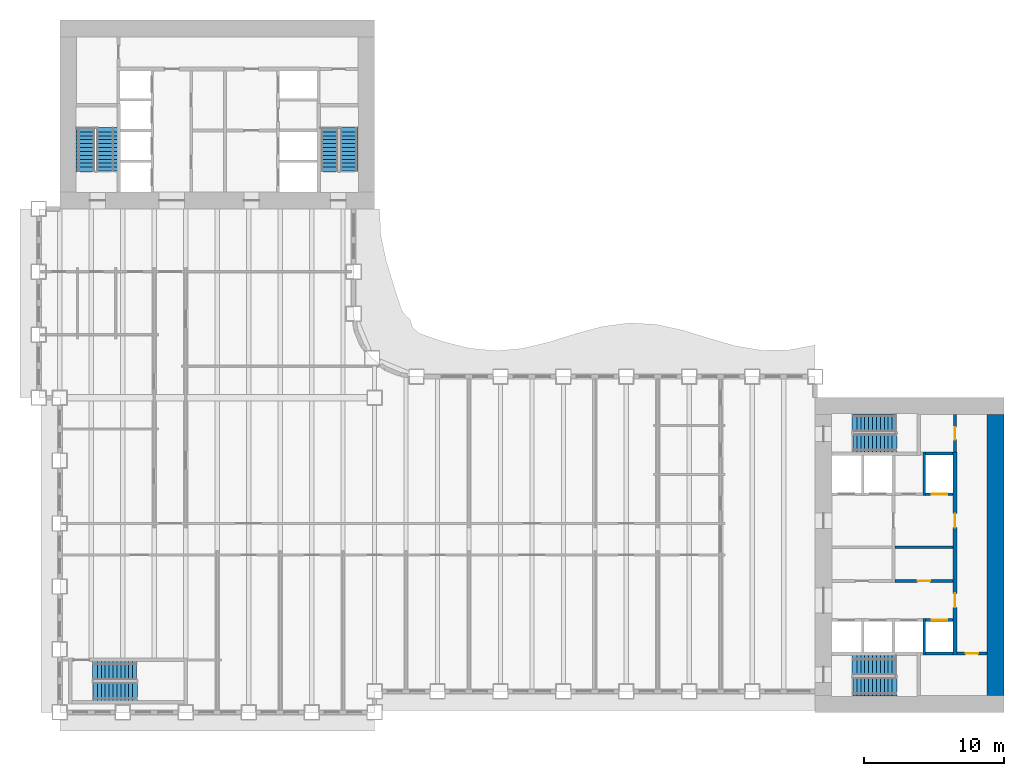
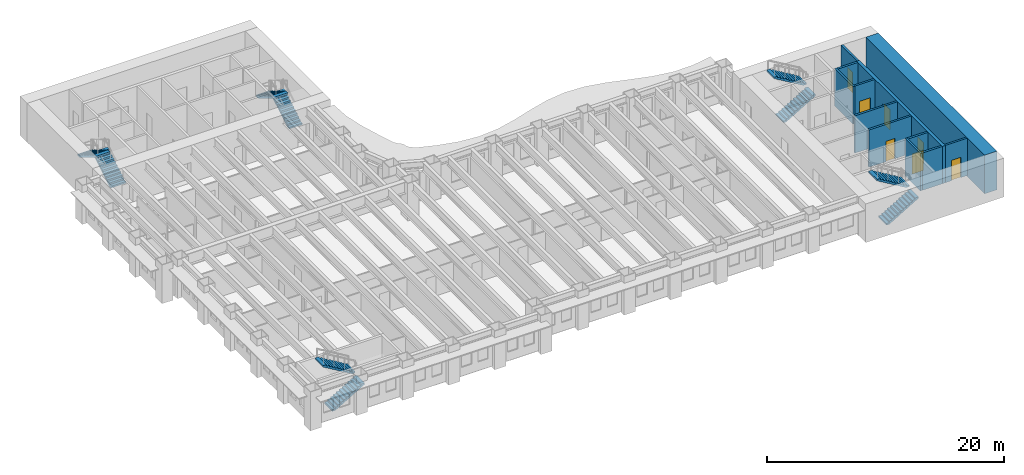
# One storey, part 9 of 15: 12 walls, 10 stair flights, 7 doors, 7 openings, 5 elements without a shape of their own.
"""IFC4 building model written with IfcOpenShell, lengths in metres."""

from ifc_helpers import new_model, si_unit, direction, frame, frame_2d, origin, place, context, subcontext, project, spatial, polyline, rectangle, outline, extrude, material, layer, layer_set, type_object, element, fill, aggregate, save


model = new_model("IFC4")

# Units and contexts
model_context = context("Model", 3, precision=1e-05, world=origin(), true_north=direction((0.0, 1.0)))
body_context = subcontext(model_context, "Body", "Model", "MODEL_VIEW")
ifc_project = project(units=[si_unit("LENGTHUNIT", "METRE"), si_unit("AREAUNIT", "SQUARE_METRE"), si_unit("VOLUMEUNIT", "CUBIC_METRE"), si_unit("PLANEANGLEUNIT", "RADIAN"), si_unit("MASSUNIT", "GRAM", prefix="KILO")], contexts=[model_context])

# Site, building, storey
site_placement = place(None, origin())
site = spatial("IfcSite", under=ifc_project, at=site_placement, CompositionType="ELEMENT")
building_placement = place(site_placement, origin())
building = spatial("IfcBuilding", under=site, at=building_placement, Name="Sennacour Bend Tower", CompositionType="ELEMENT")
storey_placement = place(building_placement, frame((0.0, 0.0, 41.0)))
storey = spatial("IfcBuildingStorey", under=building, at=storey_placement, Name="L08", CompositionType="ELEMENT", Elevation=41.0)

# Wall
ifc_material_1 = material(Name="Concrete C80/95", Category="concrete")
ifc_layer_1 = layer(ifc_material_1, 1.199951171875, Name="Concrete C80/95", Category="concrete")
ifc_layer_set_1 = layer_set([ifc_layer_1], Name="Concrete C80/95")
wall_type_1 = type_object("IfcWallType", Name="Core wall 1200 C80/95", PredefinedType="SHEAR", material=ifc_layer_set_1)
wall_1_placement = place(storey_placement, frame((66.89990234375, 1.199951171875, -0.14990234375), z_axis=(0.0, 0.0, 1.0), x_axis=(0.0, 1.0, 0.0)))
element("IfcWall", 1, at=wall_1_placement, inside=storey, type_object=wall_type_1, Name="Core A wall L08 E", PredefinedType="SHEAR", context=body_context, shape_type="SweptSolid", body=[
    extrude(rectangle(XDim=20.10009765625, YDim=1.199951171875, at=frame_2d((10.050048828125, 0.0))), origin(), (0.0, 0.0, 1.0), 4.0),
])

# Wall, opening, door
ifc_material_2 = material(Name="Fire-rated plasterboard partition on steel studs", Category="steel")
ifc_layer_2 = layer(ifc_material_2, 0.199951171875, Name="Fire-rated plasterboard partition on steel studs", Category="steel")
ifc_layer_set_2 = layer_set([ifc_layer_2], Name="Fire-rated plasterboard partition on steel studs")
wall_type_2 = type_object("IfcWallType", Name="Rated partition 200", PredefinedType="PARTITIONING", material=ifc_layer_set_2)
wall_2_placement = place(storey_placement, frame((64.0, 18.60009765625, 0.0), z_axis=(0.0, 0.0, 1.0), x_axis=(0.0, 1.0, 0.0)))
wall_2 = element("IfcWall", 2, at=wall_2_placement, inside=storey, type_object=wall_type_2, Name="P-L08-W044", PredefinedType="PARTITIONING", context=body_context, shape_type="SweptSolid", body=[
    extrude(rectangle(XDim=2.699951171875, YDim=0.199951171875, at=frame_2d((1.35009765625, 0.0))), origin(), (0.0, 0.0, 1.0), 3.85009765625),
])
opening_1_placement = place(wall_2_placement, frame((0.89990234375, 0.0, 0.0)))
opening_1 = element("IfcOpeningElement", 3, at=opening_1_placement, cuts=wall_2, Name="Opening SV", PredefinedType="OPENING", context=body_context, shape_type="SweptSolid", body=[
    extrude(rectangle(XDim=0.89990234375, YDim=2.10009765625, at=frame_2d((0.449951171875, 1.050048828125))), frame((0.0, 0.10986328125, 0.0), z_axis=(0.0, -1.0, 0.0), x_axis=(1.0, 0.0, 0.0)), (0.0, 0.0, 1.0), 0.219970703125),
])
ifc_material_3 = material(Name="Painted steel", Category="steel")
door_type_1 = type_object("IfcDoorType", Name="DR-SERVICE-900", OperationType="NOTDEFINED", PredefinedType="DOOR", material=ifc_material_3)
door_1_placement = place(opening_1_placement, origin())
door_1 = element("IfcDoor", 4, at=door_1_placement, inside=storey, type_object=door_type_1, Name="Door", OperationType="SINGLE_SWING_LEFT", OverallHeight=2.10009765625, OverallWidth=0.89990234375, PredefinedType="DOOR", context=body_context, shape_type="SweptSolid", body=[
    extrude(rectangle(XDim=0.89990234375, YDim=2.10009765625, at=frame_2d((0.449951171875, 1.050048828125))), frame((0.0, 0.02490234375, 0.0), z_axis=(0.0, -1.0, 0.0), x_axis=(1.0, 0.0, 0.0)), (0.0, 0.0, 1.0), 0.050048828125),
])
fill(opening_1, door_1)

wall_3_placement = place(storey_placement, frame((64.14990234375, 4.199951171875, 0.0), z_axis=(0.0, 0.0, 1.0), x_axis=(1.0, 0.0, 0.0)))
wall_3 = element("IfcWall", 5, at=wall_3_placement, inside=storey, type_object=wall_type_2, Name="P-L08-W053", PredefinedType="PARTITIONING", context=body_context, shape_type="SweptSolid", body=[
    extrude(rectangle(XDim=2.150146484375, YDim=0.199951171875, at=frame_2d((1.0751953125, 0.0))), origin(), (0.0, 0.0, 1.0), 3.85009765625),
])
opening_2_placement = place(wall_3_placement, frame((0.60009765625, 0.0, 0.0)))
opening_2 = element("IfcOpeningElement", 6, at=opening_2_placement, cuts=wall_3, Name="Opening SV", PredefinedType="OPENING", context=body_context, shape_type="SweptSolid", body=[
    extrude(rectangle(XDim=0.89990234375, YDim=2.10009765625, at=frame_2d((0.449951171875, 1.050048828125))), frame((0.0, 0.10986328125, 0.0), z_axis=(0.0, -1.0, 0.0), x_axis=(1.0, 0.0, 0.0)), (0.0, 0.0, 1.0), 0.219970703125),
])
door_2_placement = place(opening_2_placement, origin())
door_2 = element("IfcDoor", 7, at=door_2_placement, inside=storey, type_object=door_type_1, Name="Door", OperationType="SINGLE_SWING_LEFT", OverallHeight=2.10009765625, OverallWidth=0.89990234375, PredefinedType="DOOR", context=body_context, shape_type="SweptSolid", body=[
    extrude(rectangle(XDim=0.89990234375, YDim=2.10009765625, at=frame_2d((0.449951171875, 1.050048828125))), frame((0.0, 0.02490234375, 0.0), z_axis=(0.0, -1.0, 0.0), x_axis=(1.0, 0.0, 0.0)), (0.0, 0.0, 1.0), 0.050048828125),
])
fill(opening_2, door_2)

wall_4_placement = place(storey_placement, frame((59.699951171875, 9.39990234375, 0.0), z_axis=(0.0, 0.0, 1.0), x_axis=(1.0, 0.0, 0.0)))
wall_4 = element("IfcWall", 8, at=wall_4_placement, inside=storey, type_object=wall_type_2, Name="P-L08-W055b", PredefinedType="PARTITIONING", context=body_context, shape_type="SweptSolid", body=[
    extrude(rectangle(XDim=4.150146484375, YDim=0.199951171875, at=frame_2d((2.0751953125, 0.0))), origin(), (0.0, 0.0, 1.0), 3.85009765625),
])
opening_3_placement = place(wall_4_placement, frame((1.625, 0.0, 0.0)))
opening_3 = element("IfcOpeningElement", 9, at=opening_3_placement, cuts=wall_4, Name="Opening SV", PredefinedType="OPENING", context=body_context, shape_type="SweptSolid", body=[
    extrude(rectangle(XDim=0.89990234375, YDim=2.10009765625, at=frame_2d((0.449951171875, 1.050048828125))), frame((0.0, 0.10986328125, 0.0), z_axis=(0.0, -1.0, 0.0), x_axis=(1.0, 0.0, 0.0)), (0.0, 0.0, 1.0), 0.219970703125),
])
door_3_placement = place(opening_3_placement, origin())
door_3 = element("IfcDoor", 10, at=door_3_placement, inside=storey, type_object=door_type_1, Name="Door", OperationType="SINGLE_SWING_LEFT", OverallHeight=2.10009765625, OverallWidth=0.89990234375, PredefinedType="DOOR", context=body_context, shape_type="SweptSolid", body=[
    extrude(rectangle(XDim=0.89990234375, YDim=2.10009765625, at=frame_2d((0.449951171875, 1.050048828125))), frame((0.0, 0.02490234375, 0.0), z_axis=(0.0, -1.0, 0.0), x_axis=(1.0, 0.0, 0.0)), (0.0, 0.0, 1.0), 0.050048828125),
])
fill(opening_3, door_3)

# Walls
wall_5_placement = place(storey_placement, frame((59.699951171875, 11.800048828125, 0.0), z_axis=(0.0, 0.0, 1.0), x_axis=(1.0, 0.0, 0.0)))
element("IfcWall", 11, at=wall_5_placement, inside=storey, type_object=wall_type_2, Name="P-L08-W057b", PredefinedType="PARTITIONING", context=body_context, shape_type="SweptSolid", body=[
    extrude(rectangle(XDim=4.150146484375, YDim=0.199951171875, at=frame_2d((2.0751953125, 0.0))), origin(), (0.0, 0.0, 1.0), 3.85009765625),
])
ifc_material_4 = material(Name="Concrete C50/60", Category="concrete")
ifc_layer_3 = layer(ifc_material_4, 0.199951171875, Name="Concrete C50/60", Category="concrete")
ifc_layer_set_3 = layer_set([ifc_layer_3], Name="Concrete C50/60")
wall_type_3 = type_object("IfcWallType", Name="Shaft wall 200", PredefinedType="SOLIDWALL", material=ifc_layer_set_3)
wall_6_placement = place(storey_placement, frame((61.800048828125, 4.10009765625, 0.0), z_axis=(0.0, 0.0, 1.0), x_axis=(0.0, 1.0, 0.0)))
element("IfcWall", 12, at=wall_6_placement, inside=storey, type_object=wall_type_3, Name="P-L08-W041", PredefinedType="SOLIDWALL", context=body_context, shape_type="SweptSolid", body=[
    extrude(rectangle(XDim=2.599853515625, YDim=0.199951171875, at=frame_2d((1.2998046875, 0.0))), origin(), (0.0, 0.0, 1.0), 3.85009765625),
])
wall_7_placement = place(storey_placement, frame((61.800048828125, 15.5, 0.0), z_axis=(0.0, 0.0, 1.0), x_axis=(0.0, 1.0, 0.0)))
element("IfcWall", 13, at=wall_7_placement, inside=storey, type_object=wall_type_3, Name="P-L08-W042", PredefinedType="SOLIDWALL", context=body_context, shape_type="SweptSolid", body=[
    extrude(rectangle(XDim=3.10009765625, YDim=0.199951171875, at=frame_2d((1.550048828125, 0.0))), origin(), (0.0, 0.0, 1.0), 3.85009765625),
])
wall_8_placement = place(storey_placement, frame((61.89990234375, 4.199951171875, 0.0), z_axis=(0.0, 0.0, 1.0), x_axis=(1.0, 0.0, 0.0)))
element("IfcWall", 14, at=wall_8_placement, inside=storey, type_object=wall_type_3, Name="P-L08-W052b", PredefinedType="SOLIDWALL", context=body_context, shape_type="SweptSolid", body=[
    extrude(rectangle(XDim=1.9501953125, YDim=0.199951171875, at=frame_2d((0.97509765625, 0.0))), origin(), (0.0, 0.0, 1.0), 3.85009765625),
])

# Wall, opening, door
wall_9_placement = place(storey_placement, frame((61.89990234375, 6.60009765625, 0.0), z_axis=(0.0, 0.0, 1.0), x_axis=(1.0, 0.0, 0.0)))
wall_9 = element("IfcWall", 15, at=wall_9_placement, inside=storey, type_object=wall_type_3, Name="P-L08-W054d", PredefinedType="SOLIDWALL", context=body_context, shape_type="SweptSolid", body=[
    extrude(rectangle(XDim=1.9501953125, YDim=0.199951171875, at=frame_2d((0.97509765625, 0.0))), origin(), (0.0, 0.0, 1.0), 3.85009765625),
])
opening_4_placement = place(wall_9_placement, frame((0.425048828125, 0.0, 0.011962890625)))
opening_4 = element("IfcOpeningElement", 16, at=opening_4_placement, cuts=wall_9, Name="Opening LD", PredefinedType="OPENING", context=body_context, shape_type="SweptSolid", body=[
    extrude(rectangle(XDim=1.10009765625, YDim=2.10009765625, at=frame_2d((0.550048828125, 1.050048828125))), frame((0.0, 0.10986328125, 0.0), z_axis=(0.0, -1.0, 0.0), x_axis=(1.0, 0.0, 0.0)), (0.0, 0.0, 1.0), 0.219970703125),
])
ifc_material_5 = material(Name="Stainless steel", Category="steel")
door_type_2 = type_object("IfcDoorType", Name="DR-LANDING-1100", OperationType="NOTDEFINED", PredefinedType="DOOR", material=ifc_material_5)
door_4_placement = place(opening_4_placement, origin())
door_4 = element("IfcDoor", 17, at=door_4_placement, inside=storey, type_object=door_type_2, Name="Lift landing door LA4", OperationType="SLIDING_TO_RIGHT", OverallHeight=2.10009765625, OverallWidth=1.10009765625, PredefinedType="DOOR", context=body_context, shape_type="SweptSolid", body=[
    extrude(rectangle(XDim=1.10009765625, YDim=2.10009765625, at=frame_2d((0.550048828125, 1.050048828125))), frame((0.0, 0.02490234375, 0.0), z_axis=(0.0, -1.0, 0.0), x_axis=(1.0, 0.0, 0.0)), (0.0, 0.0, 1.0), 0.050048828125),
])
fill(opening_4, door_4)

wall_10_placement = place(storey_placement, frame((61.89990234375, 15.60009765625, 0.0), z_axis=(0.0, 0.0, 1.0), x_axis=(1.0, 0.0, 0.0)))
wall_10 = element("IfcWall", 18, at=wall_10_placement, inside=storey, type_object=wall_type_3, Name="P-L08-W061", PredefinedType="SOLIDWALL", context=body_context, shape_type="SweptSolid", body=[
    extrude(rectangle(XDim=1.9501953125, YDim=0.199951171875, at=frame_2d((0.97509765625, 0.0))), origin(), (0.0, 0.0, 1.0), 3.85009765625),
])
opening_5_placement = place(wall_10_placement, frame((0.425048828125, 0.0, 0.011962890625)))
opening_5 = element("IfcOpeningElement", 19, at=opening_5_placement, cuts=wall_10, Name="Opening LD", PredefinedType="OPENING", context=body_context, shape_type="SweptSolid", body=[
    extrude(rectangle(XDim=1.10009765625, YDim=2.10009765625, at=frame_2d((0.550048828125, 1.050048828125))), frame((0.0, 0.10986328125, 0.0), z_axis=(0.0, -1.0, 0.0), x_axis=(1.0, 0.0, 0.0)), (0.0, 0.0, 1.0), 0.219970703125),
])
door_5_placement = place(opening_5_placement, origin())
door_5 = element("IfcDoor", 20, at=door_5_placement, inside=storey, type_object=door_type_2, Name="Lift landing door LA5", OperationType="SLIDING_TO_LEFT", OverallHeight=2.10009765625, OverallWidth=1.10009765625, PredefinedType="DOOR", context=body_context, shape_type="SweptSolid", body=[
    extrude(rectangle(XDim=1.10009765625, YDim=2.10009765625, at=frame_2d((0.550048828125, 1.050048828125))), frame((0.0, 0.02490234375, 0.0), z_axis=(0.0, -1.0, 0.0), x_axis=(1.0, 0.0, 0.0)), (0.0, 0.0, 1.0), 0.050048828125),
])
fill(opening_5, door_5)

# Wall
wall_11_placement = place(storey_placement, frame((61.89990234375, 18.5, 0.0), z_axis=(0.0, 0.0, 1.0), x_axis=(1.0, 0.0, 0.0)))
element("IfcWall", 21, at=wall_11_placement, inside=storey, type_object=wall_type_3, Name="P-L08-W065", PredefinedType="SOLIDWALL", context=body_context, shape_type="SweptSolid", body=[
    extrude(rectangle(XDim=1.9501953125, YDim=0.199951171875, at=frame_2d((0.97509765625, 0.0))), origin(), (0.0, 0.0, 1.0), 3.85009765625),
])

# Wall, openings, doors
ifc_material_6 = material(Name="Concrete C60/75", Category="concrete")
ifc_layer_4 = layer(ifc_material_6, 0.300048828125, Name="Concrete C60/75", Category="concrete")
ifc_layer_set_4 = layer_set([ifc_layer_4], Name="Concrete C60/75")
wall_type_4 = type_object("IfcWallType", Name="Spine wall 300", PredefinedType="SHEAR", material=ifc_layer_set_4)
wall_12_placement = place(storey_placement, frame((64.0, 4.10009765625, 0.0), z_axis=(0.0, 0.0, 1.0), x_axis=(0.0, 1.0, 0.0)))
wall_12 = element("IfcWall", 22, at=wall_12_placement, inside=storey, type_object=wall_type_4, Name="P-L08-W043", PredefinedType="SHEAR", context=body_context, shape_type="SweptSolid", body=[
    extrude(rectangle(XDim=14.5, YDim=0.300048828125, at=frame_2d((7.25, 0.0))), origin(), (0.0, 0.0, 1.0), 3.85009765625),
])
opening_6_placement = place(wall_12_placement, frame((3.39990234375, 0.0, 0.0)))
opening_6 = element("IfcOpeningElement", 23, at=opening_6_placement, cuts=wall_12, Name="Opening CD2", PredefinedType="OPENING", context=body_context, shape_type="SweptSolid", body=[
    extrude(rectangle(XDim=1.0, YDim=2.10009765625, at=frame_2d((0.5, 1.050048828125))), frame((0.0, 0.16015625, 0.0), z_axis=(0.0, -1.0, 0.0), x_axis=(1.0, 0.0, 0.0)), (0.0, 0.0, 1.0), 0.320068359375),
])
opening_7_placement = place(wall_12_placement, frame((9.099853515625, 0.0, 0.0)))
opening_7 = element("IfcOpeningElement", 24, at=opening_7_placement, cuts=wall_12, Name="Opening CD2", PredefinedType="OPENING", context=body_context, shape_type="SweptSolid", body=[
    extrude(rectangle(XDim=1.0, YDim=2.10009765625, at=frame_2d((0.5, 1.050048828125))), frame((0.0, 0.16015625, 0.0), z_axis=(0.0, -1.0, 0.0), x_axis=(1.0, 0.0, 0.0)), (0.0, 0.0, 1.0), 0.320068359375),
])
door_type_3 = type_object("IfcDoorType", Name="DR-LOBBY-1000", OperationType="NOTDEFINED", PredefinedType="DOOR", material=ifc_material_3)
door_6_placement = place(opening_6_placement, origin())
door_6 = element("IfcDoor", 25, at=door_6_placement, inside=storey, type_object=door_type_3, Name="Door", OperationType="SINGLE_SWING_LEFT", OverallHeight=2.10009765625, OverallWidth=1.0, PredefinedType="DOOR", context=body_context, shape_type="SweptSolid", body=[
    extrude(rectangle(XDim=1.0, YDim=2.10009765625, at=frame_2d((0.5, 1.050048828125))), frame((0.0, 0.02490234375, 0.0), z_axis=(0.0, -1.0, 0.0), x_axis=(1.0, 0.0, 0.0)), (0.0, 0.0, 1.0), 0.050048828125),
])
fill(opening_6, door_6)
door_7_placement = place(opening_7_placement, origin())
door_7 = element("IfcDoor", 26, at=door_7_placement, inside=storey, type_object=door_type_3, Name="Door", OperationType="SINGLE_SWING_RIGHT", OverallHeight=2.10009765625, OverallWidth=1.0, PredefinedType="DOOR", context=body_context, shape_type="SweptSolid", body=[
    extrude(rectangle(XDim=1.0, YDim=2.10009765625, at=frame_2d((0.5, 1.050048828125))), frame((0.0, 0.02490234375, 0.0), z_axis=(0.0, -1.0, 0.0), x_axis=(1.0, 0.0, 0.0)), (0.0, 0.0, 1.0), 0.050048828125),
])
fill(opening_7, door_7)

# Stair, stair flights
ifc_material_7 = material(Name="Concrete C40/50", Category="concrete")
stair_type = type_object("IfcStairType", Name="ST-DOGLEG", PredefinedType="HALF_TURN_STAIR", material=ifc_material_7)
stair_1_placement = place(storey_placement, origin())
stair_1 = element("IfcStair", 27, at=stair_1_placement, inside=storey, type_object=stair_type, Name="L08 Exit stair A1", PredefinedType="HALF_TURN_STAIR")
stair_flight_type = type_object("IfcStairFlightType", Name="SFL-RC", PredefinedType="STRAIGHT", material=ifc_material_7)
stair_flight_1_placement = place(storey_placement, frame((56.699951171875, 1.8349609375, 0.0), z_axis=(0.0, 0.0, 1.0), x_axis=(1.0, 0.0, 0.0)))
stair_flight_1 = element("IfcStairFlight", 28, at=stair_flight_1_placement, type_object=stair_flight_type, Name="SA1 flight 1", NumberOfRisers=12, NumberOfTreads=11, PredefinedType="STRAIGHT", RiserHeight=0.166666667, TreadLength=0.28, context=body_context, shape_type="SweptSolid", body=[
    extrude(outline(polyline([(0.0, 0.0), (0.0, 0.166748046875), (0.280029296875, 0.166748046875), (0.280029296875, 0.333251953125), (0.56005859375, 0.333251953125), (0.56005859375, 0.5), (0.840087890625, 0.5), (0.840087890625, 0.666748046875), (1.1201171875, 0.666748046875), (1.1201171875, 0.833251953125), (1.39990234375, 0.833251953125), (1.39990234375, 1.0), (1.679931640625, 1.0), (1.679931640625, 1.166748046875), (1.9599609375, 1.166748046875), (1.9599609375, 1.333251953125), (2.239990234375, 1.333251953125), (2.239990234375, 1.5), (2.52001953125, 1.5), (2.52001953125, 1.666748046875), (2.800048828125, 1.666748046875), (2.800048828125, 1.833251953125), (3.080078125, 1.833251953125), (3.139892578125, 1.833251953125), (3.139892578125, 1.658935546875), (3.080078125, 1.658935546875), (0.29296875, 0.0), (0.0, 0.0)])), frame((0.0, 0.6650390625, 0.0), z_axis=(0.0, -1.0, 0.0), x_axis=(1.0, 0.0, 0.0)), (0.0, 0.0, 1.0), 1.330078125),
])
stair_flight_2_placement = place(storey_placement, frame((59.780029296875, 3.37744140625, 2.0), z_axis=(0.0, 0.0, 1.0), x_axis=(-1.0, 0.0, 0.0)))
stair_flight_2 = element("IfcStairFlight", 29, at=stair_flight_2_placement, type_object=stair_flight_type, Name="SA1 flight 2", NumberOfRisers=12, NumberOfTreads=11, PredefinedType="STRAIGHT", RiserHeight=0.166666667, TreadLength=0.28, context=body_context, shape_type="SweptSolid", body=[
    extrude(outline(polyline([(0.0, 0.0), (0.0, 0.166748046875), (0.280029296875, 0.166748046875), (0.280029296875, 0.333251953125), (0.56005859375, 0.333251953125), (0.56005859375, 0.5), (0.840087890625, 0.5), (0.840087890625, 0.666748046875), (1.1201171875, 0.666748046875), (1.1201171875, 0.833251953125), (1.39990234375, 0.833251953125), (1.39990234375, 1.0), (1.679931640625, 1.0), (1.679931640625, 1.166748046875), (1.9599609375, 1.166748046875), (1.9599609375, 1.333251953125), (2.239990234375, 1.333251953125), (2.239990234375, 1.5), (2.52001953125, 1.5), (2.52001953125, 1.666748046875), (2.800048828125, 1.666748046875), (2.800048828125, 1.833251953125), (3.080078125, 1.833251953125), (3.139892578125, 1.833251953125), (3.139892578125, 1.658935546875), (3.080078125, 1.658935546875), (0.29296875, 0.0), (0.0, 0.0)])), frame((0.0, 0.7275390625, 0.0), z_axis=(0.0, -1.0, 0.0), x_axis=(1.0, 0.0, 0.0)), (0.0, 0.0, 1.0), 1.455078125),
])
aggregate(stair_1, [stair_flight_1, stair_flight_2])

stair_2_placement = place(storey_placement, origin())
stair_2 = element("IfcStair", 30, at=stair_2_placement, inside=storey, type_object=stair_type, Name="L08 Exit stair A2", PredefinedType="HALF_TURN_STAIR")
stair_flight_3_placement = place(storey_placement, frame((56.699951171875, 19.24755859375, 0.0), z_axis=(0.0, 0.0, 1.0), x_axis=(1.0, 0.0, 0.0)))
stair_flight_3 = element("IfcStairFlight", 31, at=stair_flight_3_placement, type_object=stair_flight_type, Name="SA2 flight 1", NumberOfRisers=12, NumberOfTreads=11, PredefinedType="STRAIGHT", RiserHeight=0.166666667, TreadLength=0.28, context=body_context, shape_type="SweptSolid", body=[
    extrude(outline(polyline([(0.0, 0.0), (0.0, 0.166748046875), (0.280029296875, 0.166748046875), (0.280029296875, 0.333251953125), (0.56005859375, 0.333251953125), (0.56005859375, 0.5), (0.840087890625, 0.5), (0.840087890625, 0.666748046875), (1.1201171875, 0.666748046875), (1.1201171875, 0.833251953125), (1.39990234375, 0.833251953125), (1.39990234375, 1.0), (1.679931640625, 1.0), (1.679931640625, 1.166748046875), (1.9599609375, 1.166748046875), (1.9599609375, 1.333251953125), (2.239990234375, 1.333251953125), (2.239990234375, 1.5), (2.52001953125, 1.5), (2.52001953125, 1.666748046875), (2.800048828125, 1.666748046875), (2.800048828125, 1.833251953125), (3.080078125, 1.833251953125), (3.139892578125, 1.833251953125), (3.139892578125, 1.658935546875), (3.080078125, 1.658935546875), (0.29296875, 0.0), (0.0, 0.0)])), frame((0.0, 0.65234375, 0.0), z_axis=(0.0, -1.0, 0.0), x_axis=(1.0, 0.0, 0.0)), (0.0, 0.0, 1.0), 1.304931640625),
])
stair_flight_4_placement = place(storey_placement, frame((59.780029296875, 20.68994140625, 2.0), z_axis=(0.0, 0.0, 1.0), x_axis=(-1.0, 0.0, 0.0)))
stair_flight_4 = element("IfcStairFlight", 32, at=stair_flight_4_placement, type_object=stair_flight_type, Name="SA2 flight 2", NumberOfRisers=12, NumberOfTreads=11, PredefinedType="STRAIGHT", RiserHeight=0.166666667, TreadLength=0.28, context=body_context, shape_type="SweptSolid", body=[
    extrude(outline(polyline([(0.0, 0.0), (0.0, 0.166748046875), (0.280029296875, 0.166748046875), (0.280029296875, 0.333251953125), (0.56005859375, 0.333251953125), (0.56005859375, 0.5), (0.840087890625, 0.5), (0.840087890625, 0.666748046875), (1.1201171875, 0.666748046875), (1.1201171875, 0.833251953125), (1.39990234375, 0.833251953125), (1.39990234375, 1.0), (1.679931640625, 1.0), (1.679931640625, 1.166748046875), (1.9599609375, 1.166748046875), (1.9599609375, 1.333251953125), (2.239990234375, 1.333251953125), (2.239990234375, 1.5), (2.52001953125, 1.5), (2.52001953125, 1.666748046875), (2.800048828125, 1.666748046875), (2.800048828125, 1.833251953125), (3.080078125, 1.833251953125), (3.139892578125, 1.833251953125), (3.139892578125, 1.658935546875), (3.080078125, 1.658935546875), (0.29296875, 0.0), (0.0, 0.0)])), frame((0.0, 0.64013671875, 0.0), z_axis=(0.0, -1.0, 0.0), x_axis=(1.0, 0.0, 0.0)), (0.0, 0.0, 1.0), 1.280029296875),
])
aggregate(stair_2, [stair_flight_3, stair_flight_4])

stair_3_placement = place(storey_placement, origin())
stair_3 = element("IfcStair", 33, at=stair_3_placement, inside=storey, type_object=stair_type, Name="L08 Exit stair B1", PredefinedType="HALF_TURN_STAIR")
stair_flight_5_placement = place(storey_placement, frame((3.37744140625, 38.699951171875, 0.0), z_axis=(0.0, 0.0, 1.0), x_axis=(0.0, 1.0, 0.0)))
stair_flight_5 = element("IfcStairFlight", 34, at=stair_flight_5_placement, type_object=stair_flight_type, Name="SB1 flight 1", NumberOfRisers=12, NumberOfTreads=11, PredefinedType="STRAIGHT", RiserHeight=0.166666667, TreadLength=0.28, context=body_context, shape_type="SweptSolid", body=[
    extrude(outline(polyline([(0.0, 0.0), (0.0, 0.166748046875), (0.280029296875, 0.166748046875), (0.280029296875, 0.333251953125), (0.56005859375, 0.333251953125), (0.56005859375, 0.5), (0.840087890625, 0.5), (0.840087890625, 0.666748046875), (1.1201171875, 0.666748046875), (1.1201171875, 0.833251953125), (1.39990234375, 0.833251953125), (1.39990234375, 1.0), (1.679931640625, 1.0), (1.679931640625, 1.166748046875), (1.9599609375, 1.166748046875), (1.9599609375, 1.333251953125), (2.239990234375, 1.333251953125), (2.239990234375, 1.5), (2.52001953125, 1.5), (2.52001953125, 1.666748046875), (2.800048828125, 1.666748046875), (2.800048828125, 1.833251953125), (3.080078125, 1.833251953125), (3.139892578125, 1.833251953125), (3.139892578125, 1.658935546875), (3.080078125, 1.658935546875), (0.29296875, 0.0), (0.0, 0.0)])), frame((0.0, 0.7275390625, 0.0), z_axis=(0.0, -1.0, 0.0), x_axis=(1.0, 0.0, 0.0)), (0.0, 0.0, 1.0), 1.455078125),
])
stair_flight_6_placement = place(storey_placement, frame((1.8349609375, 41.780029296875, 2.0), z_axis=(0.0, 0.0, 1.0), x_axis=(0.0, -1.0, 0.0)))
stair_flight_6 = element("IfcStairFlight", 35, at=stair_flight_6_placement, type_object=stair_flight_type, Name="SB1 flight 2", NumberOfRisers=12, NumberOfTreads=11, PredefinedType="STRAIGHT", RiserHeight=0.166666667, TreadLength=0.28, context=body_context, shape_type="SweptSolid", body=[
    extrude(outline(polyline([(0.0, 0.0), (0.0, 0.166748046875), (0.280029296875, 0.166748046875), (0.280029296875, 0.333251953125), (0.56005859375, 0.333251953125), (0.56005859375, 0.5), (0.840087890625, 0.5), (0.840087890625, 0.666748046875), (1.1201171875, 0.666748046875), (1.1201171875, 0.833251953125), (1.39990234375, 0.833251953125), (1.39990234375, 1.0), (1.679931640625, 1.0), (1.679931640625, 1.166748046875), (1.9599609375, 1.166748046875), (1.9599609375, 1.333251953125), (2.239990234375, 1.333251953125), (2.239990234375, 1.5), (2.52001953125, 1.5), (2.52001953125, 1.666748046875), (2.800048828125, 1.666748046875), (2.800048828125, 1.833251953125), (3.080078125, 1.833251953125), (3.139892578125, 1.833251953125), (3.139892578125, 1.658935546875), (3.080078125, 1.658935546875), (0.29296875, 0.0), (0.0, 0.0)])), frame((0.0, 0.6650390625, 0.0), z_axis=(0.0, -1.0, 0.0), x_axis=(1.0, 0.0, 0.0)), (0.0, 0.0, 1.0), 1.330078125),
])
aggregate(stair_3, [stair_flight_5, stair_flight_6])

stair_4_placement = place(storey_placement, origin())
stair_4 = element("IfcStair", 36, at=stair_4_placement, inside=storey, type_object=stair_type, Name="L08 Exit stair B2", PredefinedType="HALF_TURN_STAIR")
stair_flight_7_placement = place(storey_placement, frame((20.68994140625, 38.699951171875, 0.0), z_axis=(0.0, 0.0, 1.0), x_axis=(0.0, 1.0, 0.0)))
stair_flight_7 = element("IfcStairFlight", 37, at=stair_flight_7_placement, type_object=stair_flight_type, Name="SB2 flight 1", NumberOfRisers=12, NumberOfTreads=11, PredefinedType="STRAIGHT", RiserHeight=0.166666667, TreadLength=0.28, context=body_context, shape_type="SweptSolid", body=[
    extrude(outline(polyline([(0.0, 0.0), (0.0, 0.166748046875), (0.280029296875, 0.166748046875), (0.280029296875, 0.333251953125), (0.56005859375, 0.333251953125), (0.56005859375, 0.5), (0.840087890625, 0.5), (0.840087890625, 0.666748046875), (1.1201171875, 0.666748046875), (1.1201171875, 0.833251953125), (1.39990234375, 0.833251953125), (1.39990234375, 1.0), (1.679931640625, 1.0), (1.679931640625, 1.166748046875), (1.9599609375, 1.166748046875), (1.9599609375, 1.333251953125), (2.239990234375, 1.333251953125), (2.239990234375, 1.5), (2.52001953125, 1.5), (2.52001953125, 1.666748046875), (2.800048828125, 1.666748046875), (2.800048828125, 1.833251953125), (3.080078125, 1.833251953125), (3.139892578125, 1.833251953125), (3.139892578125, 1.658935546875), (3.080078125, 1.658935546875), (0.29296875, 0.0), (0.0, 0.0)])), frame((0.0, 0.64013671875, 0.0), z_axis=(0.0, -1.0, 0.0), x_axis=(1.0, 0.0, 0.0)), (0.0, 0.0, 1.0), 1.280029296875),
])
stair_flight_8_placement = place(storey_placement, frame((19.24755859375, 41.780029296875, 2.0), z_axis=(0.0, 0.0, 1.0), x_axis=(0.0, -1.0, 0.0)))
stair_flight_8 = element("IfcStairFlight", 38, at=stair_flight_8_placement, type_object=stair_flight_type, Name="SB2 flight 2", NumberOfRisers=12, NumberOfTreads=11, PredefinedType="STRAIGHT", RiserHeight=0.166666667, TreadLength=0.28, context=body_context, shape_type="SweptSolid", body=[
    extrude(outline(polyline([(0.0, 0.0), (0.0, 0.166748046875), (0.280029296875, 0.166748046875), (0.280029296875, 0.333251953125), (0.56005859375, 0.333251953125), (0.56005859375, 0.5), (0.840087890625, 0.5), (0.840087890625, 0.666748046875), (1.1201171875, 0.666748046875), (1.1201171875, 0.833251953125), (1.39990234375, 0.833251953125), (1.39990234375, 1.0), (1.679931640625, 1.0), (1.679931640625, 1.166748046875), (1.9599609375, 1.166748046875), (1.9599609375, 1.333251953125), (2.239990234375, 1.333251953125), (2.239990234375, 1.5), (2.52001953125, 1.5), (2.52001953125, 1.666748046875), (2.800048828125, 1.666748046875), (2.800048828125, 1.833251953125), (3.080078125, 1.833251953125), (3.139892578125, 1.833251953125), (3.139892578125, 1.658935546875), (3.080078125, 1.658935546875), (0.29296875, 0.0), (0.0, 0.0)])), frame((0.0, 0.65234375, 0.0), z_axis=(0.0, -1.0, 0.0), x_axis=(1.0, 0.0, 0.0)), (0.0, 0.0, 1.0), 1.304931640625),
])
aggregate(stair_4, [stair_flight_7, stair_flight_8])

stair_5_placement = place(storey_placement, origin())
stair_5 = element("IfcStair", 39, at=stair_5_placement, inside=storey, type_object=stair_type, Name="L08 Exit stair K1", PredefinedType="HALF_TURN_STAIR")
stair_flight_9_placement = place(storey_placement, frame((2.39990234375, 1.485107421875, 0.0), z_axis=(0.0, 0.0, 1.0), x_axis=(1.0, 0.0, 0.0)))
stair_flight_9 = element("IfcStairFlight", 40, at=stair_flight_9_placement, type_object=stair_flight_type, Name="SK1 flight 1", NumberOfRisers=12, NumberOfTreads=11, PredefinedType="STRAIGHT", RiserHeight=0.166666667, TreadLength=0.28, context=body_context, shape_type="SweptSolid", body=[
    extrude(outline(polyline([(0.0, 0.0), (0.0, 0.166748046875), (0.280029296875, 0.166748046875), (0.280029296875, 0.333251953125), (0.56005859375, 0.333251953125), (0.56005859375, 0.5), (0.840087890625, 0.5), (0.840087890625, 0.666748046875), (1.1201171875, 0.666748046875), (1.1201171875, 0.833251953125), (1.39990234375, 0.833251953125), (1.39990234375, 1.0), (1.679931640625, 1.0), (1.679931640625, 1.166748046875), (1.9599609375, 1.166748046875), (1.9599609375, 1.333251953125), (2.239990234375, 1.333251953125), (2.239990234375, 1.5), (2.52001953125, 1.5), (2.52001953125, 1.666748046875), (2.800048828125, 1.666748046875), (2.800048828125, 1.833251953125), (3.080078125, 1.833251953125), (3.139892578125, 1.833251953125), (3.139892578125, 1.658935546875), (3.080078125, 1.658935546875), (0.29296875, 0.0), (0.0, 0.0)])), frame((0.0, 0.6650390625, 0.0), z_axis=(0.0, -1.0, 0.0), x_axis=(1.0, 0.0, 0.0)), (0.0, 0.0, 1.0), 1.330078125),
])
stair_flight_10_placement = place(storey_placement, frame((5.47998046875, 2.9775390625, 2.0), z_axis=(0.0, 0.0, 1.0), x_axis=(-1.0, 0.0, 0.0)))
stair_flight_10 = element("IfcStairFlight", 41, at=stair_flight_10_placement, type_object=stair_flight_type, Name="SK1 flight 2", NumberOfRisers=12, NumberOfTreads=11, PredefinedType="STRAIGHT", RiserHeight=0.166666667, TreadLength=0.28, context=body_context, shape_type="SweptSolid", body=[
    extrude(outline(polyline([(0.0, 0.0), (0.0, 0.166748046875), (0.280029296875, 0.166748046875), (0.280029296875, 0.333251953125), (0.56005859375, 0.333251953125), (0.56005859375, 0.5), (0.840087890625, 0.5), (0.840087890625, 0.666748046875), (1.1201171875, 0.666748046875), (1.1201171875, 0.833251953125), (1.39990234375, 0.833251953125), (1.39990234375, 1.0), (1.679931640625, 1.0), (1.679931640625, 1.166748046875), (1.9599609375, 1.166748046875), (1.9599609375, 1.333251953125), (2.239990234375, 1.333251953125), (2.239990234375, 1.5), (2.52001953125, 1.5), (2.52001953125, 1.666748046875), (2.800048828125, 1.666748046875), (2.800048828125, 1.833251953125), (3.080078125, 1.833251953125), (3.139892578125, 1.833251953125), (3.139892578125, 1.658935546875), (3.080078125, 1.658935546875), (0.29296875, 0.0), (0.0, 0.0)])), frame((0.0, 0.677490234375, 0.0), z_axis=(0.0, -1.0, 0.0), x_axis=(1.0, 0.0, 0.0)), (0.0, 0.0, 1.0), 1.35498046875),
])
aggregate(stair_5, [stair_flight_9, stair_flight_10])

save(model, "model.ifc")
